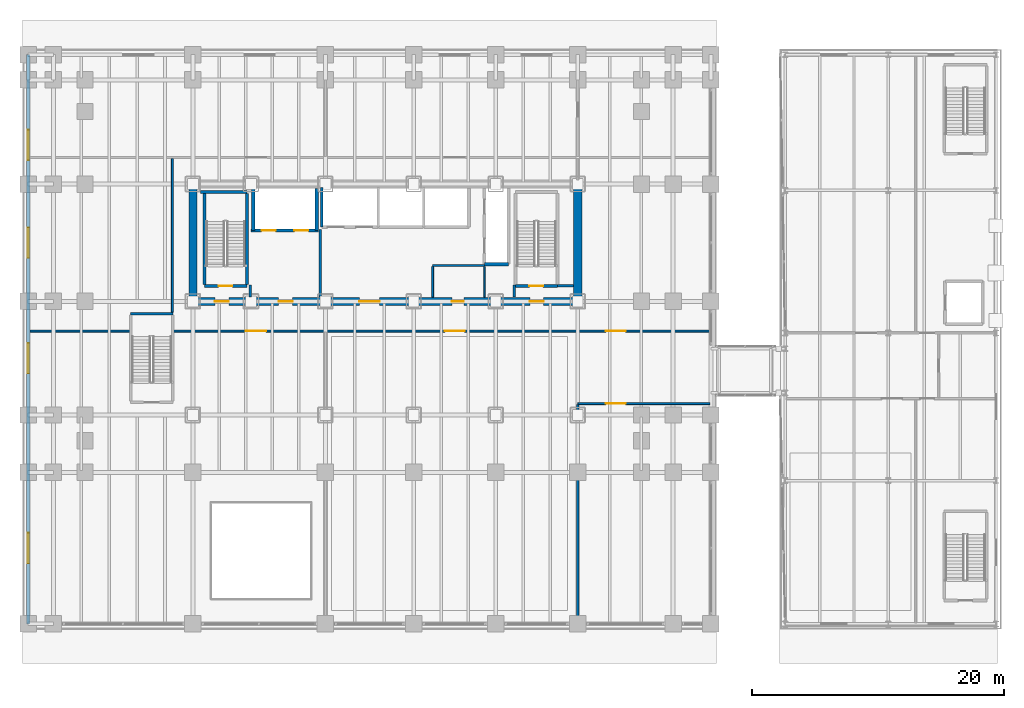
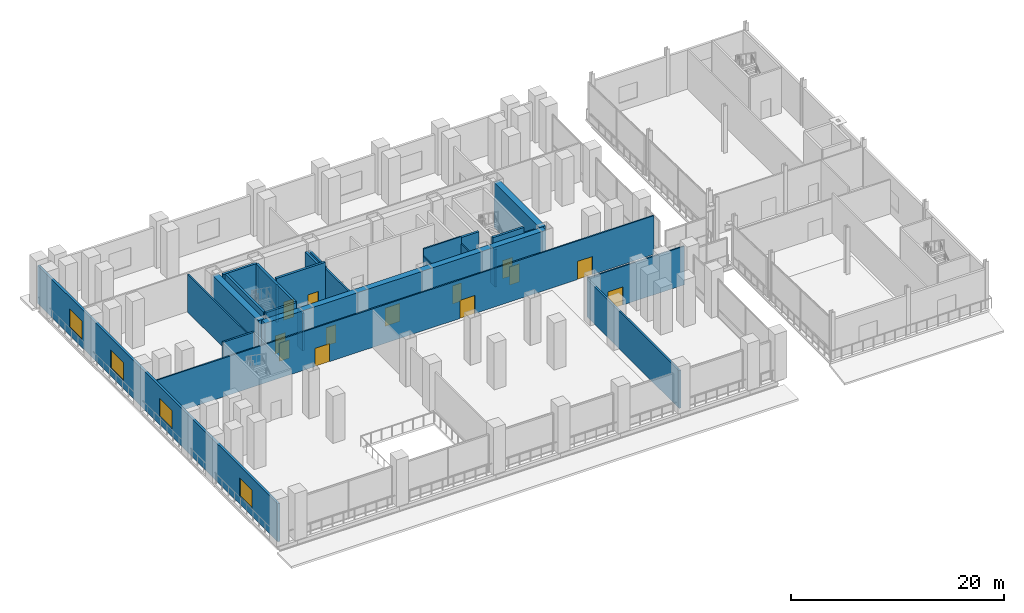
# One storey, part 20 of 32: 26 walls, 13 doors, 4 windows, 17 openings.
"""IFC4 building model written with IfcOpenShell, lengths in metres."""

from ifc_helpers import new_model, si_unit, direction, frame, frame_2d, origin, place, context, subcontext, project, spatial, rectangle, extrude, material, layer, layer_set, type_object, element, fill, save


model = new_model("IFC4")

# Units and contexts
model_context = context("Model", 3, precision=1e-05, world=origin(), true_north=direction((0.0, 1.0)))
body_context = subcontext(model_context, "Body", "Model", "MODEL_VIEW")
ifc_project = project(units=[si_unit("LENGTHUNIT", "METRE"), si_unit("AREAUNIT", "SQUARE_METRE"), si_unit("VOLUMEUNIT", "CUBIC_METRE"), si_unit("PLANEANGLEUNIT", "RADIAN"), si_unit("MASSUNIT", "GRAM", prefix="KILO")], contexts=[model_context])

# Site, building, storey
site_placement = place(None, origin())
site = spatial("IfcSite", under=ifc_project, at=site_placement, CompositionType="ELEMENT")
building_placement = place(site_placement, origin())
building = spatial("IfcBuilding", under=site, at=building_placement, Name="Noeulbin Bourse Tower", CompositionType="ELEMENT")
storey_placement = place(building_placement, frame((0.0, 0.0, 5.800048828125)))
storey = spatial("IfcBuildingStorey", under=building, at=storey_placement, Name="L02", CompositionType="ELEMENT", Elevation=5.800048828125)

# Wall, openings, doors
ifc_material_1 = material(Name="Concrete C60/75", Category="concrete")
ifc_layer_1 = layer(ifc_material_1, 0.64990234375)
ifc_layer_set_1 = layer_set([ifc_layer_1], Name="Concrete C60/75")
wall_type_1 = type_object("IfcWallType", Name="WAL-CORE-650", PredefinedType="SHEAR", material=ifc_layer_set_1)
wall_1_placement = place(storey_placement, frame((13.5, 29.0, 0.0), z_axis=(0.0, 0.0, 1.0), x_axis=(1.0, 0.0, 0.0)))
wall_1 = element("IfcWall", 1, at=wall_1_placement, inside=storey, type_object=wall_type_1, Name="Rear Core South Shear Wall L02", PredefinedType="SHEAR", context=body_context, shape_type="SweptSolid", body=[
    extrude(rectangle(XDim=30.5, YDim=0.64990234375, at=frame_2d((15.25, 0.0))), origin(), (0.0, 0.0, 1.0), 5.14990234375),
])
opening_1_placement = place(wall_1_placement, frame((1.75, 0.0, 0.0)))
opening_1 = element("IfcOpeningElement", 2, at=opening_1_placement, cuts=wall_1, Name="Opening FD-11", PredefinedType="OPENING", context=body_context, shape_type="SweptSolid", body=[
    extrude(rectangle(XDim=1.10009765625, YDim=2.080078125, at=frame_2d((0.550048828125, 1.0400390625))), frame((0.0, 0.3349609375, 0.0), z_axis=(0.0, -1.0, 0.0), x_axis=(1.0, 0.0, 0.0)), (0.0, 0.0, 1.0), 0.669921875),
])
opening_2_placement = place(wall_1_placement, frame((26.699951171875, 0.0, 0.0)))
opening_2 = element("IfcOpeningElement", 3, at=opening_2_placement, cuts=wall_1, Name="Opening FD-11", PredefinedType="OPENING", context=body_context, shape_type="SweptSolid", body=[
    extrude(rectangle(XDim=1.10009765625, YDim=2.080078125, at=frame_2d((0.550048828125, 1.0400390625))), frame((0.0, 0.3349609375, 0.0), z_axis=(0.0, -1.0, 0.0), x_axis=(1.0, 0.0, 0.0)), (0.0, 0.0, 1.0), 0.669921875),
])
opening_3_placement = place(wall_1_placement, frame((6.800048828125, 0.0, 0.0)))
opening_3 = element("IfcOpeningElement", 4, at=opening_3_placement, cuts=wall_1, Name="Opening FD-11", PredefinedType="OPENING", context=body_context, shape_type="SweptSolid", body=[
    extrude(rectangle(XDim=1.10009765625, YDim=2.080078125, at=frame_2d((0.550048828125, 1.0400390625))), frame((0.0, 0.3349609375, 0.0), z_axis=(0.0, -1.0, 0.0), x_axis=(1.0, 0.0, 0.0)), (0.0, 0.0, 1.0), 0.669921875),
])
opening_4_placement = place(wall_1_placement, frame((13.199951171875, 0.0, 0.0)))
opening_4 = element("IfcOpeningElement", 5, at=opening_4_placement, cuts=wall_1, Name="Opening ID-16", PredefinedType="OPENING", context=body_context, shape_type="SweptSolid", body=[
    extrude(rectangle(XDim=1.60009765625, YDim=2.080078125, at=frame_2d((0.800048828125, 1.0400390625))), frame((0.0, 0.3349609375, 0.0), z_axis=(0.0, -1.0, 0.0), x_axis=(1.0, 0.0, 0.0)), (0.0, 0.0, 1.0), 0.669921875),
])
opening_5_placement = place(wall_1_placement, frame((20.52490234375, 0.0, 0.0)))
opening_5 = element("IfcOpeningElement", 6, at=opening_5_placement, cuts=wall_1, Name="Opening ID-09", PredefinedType="OPENING", context=body_context, shape_type="SweptSolid", body=[
    extrude(rectangle(XDim=0.949951171875, YDim=2.080078125, at=frame_2d((0.47509765625, 1.0400390625))), frame((0.0, 0.3349609375, 0.0), z_axis=(0.0, -1.0, 0.0), x_axis=(1.0, 0.0, 0.0)), (0.0, 0.0, 1.0), 0.669921875),
])
ifc_material_2 = material(Name="Acoustic Glazed Aluminium", Category="aluminium")
door_type_1 = type_object("IfcDoorType", Name="DR-DBL-1600", OperationType="DOUBLE_DOOR_SINGLE_SWING", PredefinedType="DOOR", material=ifc_material_2)
door_1_placement = place(opening_4_placement, origin())
door_1 = element("IfcDoor", 7, at=door_1_placement, inside=storey, type_object=door_type_1, Name="Passenger Lift Lobby Portal L02", OperationType="DOUBLE_DOOR_SINGLE_SWING", OverallHeight=2.080078125, OverallWidth=1.60009765625, PredefinedType="DOOR", context=body_context, shape_type="SweptSolid", body=[
    extrude(rectangle(XDim=1.60009765625, YDim=2.080078125, at=frame_2d((0.800048828125, 1.0400390625))), frame((0.0, 0.02490234375, 0.0), z_axis=(0.0, -1.0, 0.0), x_axis=(1.0, 0.0, 0.0)), (0.0, 0.0, 1.0), 0.050048828125),
])
fill(opening_4, door_1)
ifc_material_3 = material(Name="Fire-Rated Insulated Steel", Category="steel")
door_type_2 = type_object("IfcDoorType", Name="DR-FD60-1100", OperationType="SINGLE_SWING_LEFT", PredefinedType="DOOR", material=ifc_material_3)
door_2_placement = place(opening_1_placement, origin())
door_2 = element("IfcDoor", 8, at=door_2_placement, inside=storey, type_object=door_type_2, Name="West Stair Lobby Door L02", OperationType="SINGLE_SWING_LEFT", OverallHeight=2.080078125, OverallWidth=1.10009765625, PredefinedType="DOOR", context=body_context, shape_type="SweptSolid", body=[
    extrude(rectangle(XDim=1.10009765625, YDim=2.080078125, at=frame_2d((0.550048828125, 1.0400390625))), frame((0.0, 0.02490234375, 0.0), z_axis=(0.0, -1.0, 0.0), x_axis=(1.0, 0.0, 0.0)), (0.0, 0.0, 1.0), 0.050048828125),
])
fill(opening_1, door_2)
door_3_placement = place(opening_2_placement, origin())
door_3 = element("IfcDoor", 9, at=door_3_placement, inside=storey, type_object=door_type_2, Name="East Stair Lobby Door L02", OperationType="SINGLE_SWING_RIGHT", OverallHeight=2.080078125, OverallWidth=1.10009765625, PredefinedType="DOOR", context=body_context, shape_type="SweptSolid", body=[
    extrude(rectangle(XDim=1.10009765625, YDim=2.080078125, at=frame_2d((0.550048828125, 1.0400390625))), frame((0.0, 0.02490234375, 0.0), z_axis=(0.0, -1.0, 0.0), x_axis=(1.0, 0.0, 0.0)), (0.0, 0.0, 1.0), 0.050048828125),
])
fill(opening_2, door_3)
door_4_placement = place(opening_3_placement, origin())
door_4 = element("IfcDoor", 10, at=door_4_placement, inside=storey, type_object=door_type_2, Name="Firefighting Lobby Door L02", OperationType="SINGLE_SWING_LEFT", OverallHeight=2.080078125, OverallWidth=1.10009765625, PredefinedType="DOOR", context=body_context, shape_type="SweptSolid", body=[
    extrude(rectangle(XDim=1.10009765625, YDim=2.080078125, at=frame_2d((0.550048828125, 1.0400390625))), frame((0.0, 0.02490234375, 0.0), z_axis=(0.0, -1.0, 0.0), x_axis=(1.0, 0.0, 0.0)), (0.0, 0.0, 1.0), 0.050048828125),
])
fill(opening_3, door_4)
ifc_material_4 = material(Name="Acoustic Solid-Core Timber", Category="wood")
door_type_3 = type_object("IfcDoorType", Name="DR-SINGLE-950", OperationType="SINGLE_SWING_LEFT", PredefinedType="DOOR", material=ifc_material_4)
door_5_placement = place(opening_5_placement, origin())
door_5 = element("IfcDoor", 11, at=door_5_placement, inside=storey, type_object=door_type_3, Name="Interior Door L02-17", OperationType="SINGLE_SWING_LEFT", OverallHeight=2.080078125, OverallWidth=0.949951171875, PredefinedType="DOOR", context=body_context, shape_type="SweptSolid", body=[
    extrude(rectangle(XDim=0.949951171875, YDim=2.080078125, at=frame_2d((0.47509765625, 1.0400390625))), frame((0.0, 0.02490234375, 0.0), z_axis=(0.0, -1.0, 0.0), x_axis=(1.0, 0.0, 0.0)), (0.0, 0.0, 1.0), 0.050048828125),
])
fill(opening_5, door_5)

# Walls
for number, where, z_axis, x_axis, name in (
    (12, (13.5, 29.35009765625, 0.0), (0.0, 0.0, 1.0), (0.0, 1.0, 0.0), "Rear Core West Shear Wall L02"),
    (13, (44.0, 29.35009765625, 0.0), (0.0, 0.0, 1.0), (0.0, 1.0, 0.0), "Rear Core East Shear Wall L02"),
):
    element("IfcWall", number, at=place(storey_placement, frame(where, z_axis=z_axis, x_axis=x_axis)), inside=storey, type_object=wall_type_1, Name=name, PredefinedType="SHEAR", context=body_context, shape_type="SweptSolid", body=[
        extrude(rectangle(XDim=8.599853515625, YDim=0.64990234375, at=frame_2d((4.2998046875, 0.0))), origin(), (0.0, 0.0, 1.0), 5.14990234375),
    ])

# Wall, openings, windows
ifc_material_5 = material(Name="Precast Concrete C40/50", Category="concrete")
ifc_layer_2 = layer(ifc_material_5, 0.25)
ifc_layer_set_2 = layer_set([ifc_layer_2], Name="Precast Concrete C40/50")
wall_type_2 = type_object("IfcWallType", Name="WAL-EXT-250", PredefinedType="STANDARD", material=ifc_layer_set_2)
wall_2_placement = place(storey_placement, frame((0.449951171875, 3.449951171875, 0.0), z_axis=(0.0, 0.0, 1.0), x_axis=(0.0, 1.0, 0.0)))
wall_2 = element("IfcWall", 14, at=wall_2_placement, inside=storey, type_object=wall_type_2, Name="Podium West Precast Wall L02", PredefinedType="STANDARD", context=body_context, shape_type="SweptSolid", body=[
    extrude(rectangle(XDim=45.10009765625, YDim=0.25, at=frame_2d((22.550048828125, 0.0))), origin(), (0.0, 0.0, 1.0), 4.369873046875),
])
opening_6_placement = place(wall_2_placement, frame((4.800048828125, 0.0, 0.89990234375)))
opening_6 = element("IfcOpeningElement", 15, at=opening_6_placement, cuts=wall_2, Name="Opening W-01", PredefinedType="OPENING", context=body_context, shape_type="SweptSolid", body=[
    extrude(rectangle(XDim=2.39990234375, YDim=2.10009765625, at=frame_2d((1.199951171875, 1.050048828125))), frame((0.0, 0.135009765625, 0.0), z_axis=(0.0, -1.0, 0.0), x_axis=(1.0, 0.0, 0.0)), (0.0, 0.0, 1.0), 0.27001953125),
])
opening_7_placement = place(wall_2_placement, frame((19.85009765625, 0.0, 0.89990234375)))
opening_7 = element("IfcOpeningElement", 16, at=opening_7_placement, cuts=wall_2, Name="Opening W-01", PredefinedType="OPENING", context=body_context, shape_type="SweptSolid", body=[
    extrude(rectangle(XDim=2.39990234375, YDim=2.10009765625, at=frame_2d((1.199951171875, 1.050048828125))), frame((0.0, 0.135009765625, 0.0), z_axis=(0.0, -1.0, 0.0), x_axis=(1.0, 0.0, 0.0)), (0.0, 0.0, 1.0), 0.27001953125),
])
opening_8_placement = place(wall_2_placement, frame((29.0, 0.0, 0.89990234375)))
opening_8 = element("IfcOpeningElement", 17, at=opening_8_placement, cuts=wall_2, Name="Opening W-01", PredefinedType="OPENING", context=body_context, shape_type="SweptSolid", body=[
    extrude(rectangle(XDim=2.39990234375, YDim=2.10009765625, at=frame_2d((1.199951171875, 1.050048828125))), frame((0.0, 0.135009765625, 0.0), z_axis=(0.0, -1.0, 0.0), x_axis=(1.0, 0.0, 0.0)), (0.0, 0.0, 1.0), 0.27001953125),
])
opening_9_placement = place(wall_2_placement, frame((36.75, 0.0, 0.89990234375)))
opening_9 = element("IfcOpeningElement", 18, at=opening_9_placement, cuts=wall_2, Name="Opening W-01", PredefinedType="OPENING", context=body_context, shape_type="SweptSolid", body=[
    extrude(rectangle(XDim=2.39990234375, YDim=2.10009765625, at=frame_2d((1.199951171875, 1.050048828125))), frame((0.0, 0.135009765625, 0.0), z_axis=(0.0, -1.0, 0.0), x_axis=(1.0, 0.0, 0.0)), (0.0, 0.0, 1.0), 0.27001953125),
])
ifc_material_6 = material(Name="Thermally Broken Aluminium Triple Glazing", Category="aluminium")
window_type = type_object("IfcWindowType", Name="WIN-POD-2400x2100", PartitioningType="SINGLE_PANEL", PredefinedType="WINDOW", material=ifc_material_6)
window_1_placement = place(opening_6_placement, origin())
window_1 = element("IfcWindow", 19, at=window_1_placement, inside=storey, type_object=window_type, Name="Podium West Window L02-01", OverallHeight=2.10009765625, OverallWidth=2.39990234375, PartitioningType="SINGLE_PANEL", PredefinedType="WINDOW", context=body_context, shape_type="SweptSolid", body=[
    extrude(rectangle(XDim=2.39990234375, YDim=2.10009765625, at=frame_2d((1.199951171875, 1.050048828125))), frame((0.0, 0.030029296875, 0.0), z_axis=(0.0, -1.0, 0.0), x_axis=(1.0, 0.0, 0.0)), (0.0, 0.0, 1.0), 0.06005859375),
])
fill(opening_6, window_1)
window_2_placement = place(opening_7_placement, origin())
window_2 = element("IfcWindow", 20, at=window_2_placement, inside=storey, type_object=window_type, Name="Podium West Window L02-02", OverallHeight=2.10009765625, OverallWidth=2.39990234375, PartitioningType="SINGLE_PANEL", PredefinedType="WINDOW", context=body_context, shape_type="SweptSolid", body=[
    extrude(rectangle(XDim=2.39990234375, YDim=2.10009765625, at=frame_2d((1.199951171875, 1.050048828125))), frame((0.0, 0.030029296875, 0.0), z_axis=(0.0, -1.0, 0.0), x_axis=(1.0, 0.0, 0.0)), (0.0, 0.0, 1.0), 0.06005859375),
])
fill(opening_7, window_2)
window_3_placement = place(opening_8_placement, origin())
window_3 = element("IfcWindow", 21, at=window_3_placement, inside=storey, type_object=window_type, Name="Podium West Window L02-03", OverallHeight=2.10009765625, OverallWidth=2.39990234375, PartitioningType="SINGLE_PANEL", PredefinedType="WINDOW", context=body_context, shape_type="SweptSolid", body=[
    extrude(rectangle(XDim=2.39990234375, YDim=2.10009765625, at=frame_2d((1.199951171875, 1.050048828125))), frame((0.0, 0.030029296875, 0.0), z_axis=(0.0, -1.0, 0.0), x_axis=(1.0, 0.0, 0.0)), (0.0, 0.0, 1.0), 0.06005859375),
])
fill(opening_8, window_3)
window_4_placement = place(opening_9_placement, origin())
window_4 = element("IfcWindow", 22, at=window_4_placement, inside=storey, type_object=window_type, Name="Podium West Window L02-04", OverallHeight=2.10009765625, OverallWidth=2.39990234375, PartitioningType="SINGLE_PANEL", PredefinedType="WINDOW", context=body_context, shape_type="SweptSolid", body=[
    extrude(rectangle(XDim=2.39990234375, YDim=2.10009765625, at=frame_2d((1.199951171875, 1.050048828125))), frame((0.0, 0.030029296875, 0.0), z_axis=(0.0, -1.0, 0.0), x_axis=(1.0, 0.0, 0.0)), (0.0, 0.0, 1.0), 0.06005859375),
])
fill(opening_9, window_4)

# Walls
ifc_material_7 = material(Name="Concrete C40/50", Category="concrete")
ifc_layer_3 = layer(ifc_material_7, 0.199951171875)
ifc_layer_set_3 = layer_set([ifc_layer_3], Name="Concrete C40/50")
wall_type_3 = type_object("IfcWallType", Name="WAL-FIRE-200", PredefinedType="STANDARD", material=ifc_layer_set_3)
wall_3_placement = place(storey_placement, frame((8.56005859375, 28.0400390625, 0.0), z_axis=(0.0, 0.0, 1.0), x_axis=(1.0, 0.0, 0.0)))
element("IfcWall", 23, at=wall_3_placement, inside=storey, type_object=wall_type_3, Name="Stair STP1 North Wall L02", PredefinedType="STANDARD", context=body_context, shape_type="SweptSolid", body=[
    extrude(rectangle(XDim=3.35986328125, YDim=0.199951171875, at=frame_2d((1.679931640625, 0.0))), origin(), (0.0, 0.0, 1.0), 5.14990234375),
])
wall_4_placement = place(storey_placement, frame((42.39990234375, 30.239990234375, 0.0), z_axis=(0.0, 0.0, 1.0), x_axis=(1.0, 0.0, 0.0)))
element("IfcWall", 24, at=wall_4_placement, inside=storey, type_object=wall_type_3, Name="Interior Partition Wall L02-06", PredefinedType="STANDARD", context=body_context, shape_type="SweptSolid", body=[
    extrude(rectangle(XDim=1.26513671875, YDim=0.199951171875, at=frame_2d((0.632568359375, 0.0))), origin(), (0.0, 0.0, 1.0), 4.429931640625),
])
wall_5_placement = place(storey_placement, frame((44.0, 3.530029296875, 0.0), z_axis=(0.0, 0.0, 1.0), x_axis=(0.0, 1.0, 0.0)))
element("IfcWall", 25, at=wall_5_placement, inside=storey, type_object=wall_type_3, Name="Interior Partition Wall L02-09", PredefinedType="STANDARD", context=body_context, shape_type="SweptSolid", body=[
    extrude(rectangle(XDim=17.284912109375, YDim=0.199951171875, at=frame_2d((8.642578125, 0.0))), origin(), (0.0, 0.0, 1.0), 4.329833984375),
])
for number, where, z_axis, x_axis, name in (
    (26, (18.050048828125, 29.3349609375, 0.0), (0.0, 0.0, 1.0), (0.0, 1.0, 0.0), "Interior Partition Wall L02-17"),
    (27, (38.949951171875, 29.3349609375, 0.0), (0.0, 0.0, 1.0), (0.0, 1.0, 0.0), "Interior Partition Wall L02-18"),
):
    element("IfcWall", number, at=place(storey_placement, frame(where, z_axis=z_axis, x_axis=x_axis)), inside=storey, type_object=wall_type_3, Name=name, PredefinedType="STANDARD", context=body_context, shape_type="SweptSolid", body=[
        extrude(rectangle(XDim=0.965087890625, YDim=0.199951171875, at=frame_2d((0.482421875, 0.0))), origin(), (0.0, 0.0, 1.0), 4.329833984375),
    ])
wall_6_placement = place(storey_placement, frame((23.60009765625, 29.3349609375, 0.0), z_axis=(0.0, 0.0, 1.0), x_axis=(0.0, 1.0, 0.0)))
element("IfcWall", 28, at=wall_6_placement, inside=storey, type_object=wall_type_3, Name="Interior Partition Wall L02-19", PredefinedType="STANDARD", context=body_context, shape_type="SweptSolid", body=[
    extrude(rectangle(XDim=5.364990234375, YDim=0.199951171875, at=frame_2d((2.6826171875, 0.0))), origin(), (0.0, 0.0, 1.0), 4.329833984375),
])
ifc_material_8 = material(Name="Steel Stud Gypsum Partition", Category="steel")
ifc_layer_4 = layer(ifc_material_8, 0.1201171875)
ifc_layer_set_4 = layer_set([ifc_layer_4], Name="Steel Stud Gypsum Partition")
wall_type_4 = type_object("IfcWallType", Name="WAL-PRT-120", PredefinedType="PARTITIONING", material=ifc_layer_set_4)
wall_7_placement = place(storey_placement, frame((36.60009765625, 29.3349609375, 0.0), z_axis=(0.0, 0.0, 1.0), x_axis=(0.0, 1.0, 0.0)))
element("IfcWall", 29, at=wall_7_placement, inside=storey, type_object=wall_type_4, Name="Interior Partition Wall L02-21", PredefinedType="PARTITIONING", context=body_context, shape_type="SweptSolid", body=[
    extrude(rectangle(XDim=2.429931640625, YDim=0.1201171875, at=frame_2d((1.21484375, 0.0))), origin(), (0.0, 0.0, 1.0), 4.329833984375),
])

# Wall, openings, doors
ifc_material_9 = material(Name="Steel Stud Acoustic Gypsum Board", Category="steel")
ifc_layer_5 = layer(ifc_material_9, 0.14990234375)
ifc_layer_set_5 = layer_set([ifc_layer_5], Name="Steel Stud Acoustic Gypsum Board")
wall_type_5 = type_object("IfcWallType", Name="WAL-PRT-150", PredefinedType="PARTITIONING", material=ifc_layer_set_5)
wall_8_placement = place(storey_placement, frame((0.580078125, 26.64990234375, 0.0), z_axis=(0.0, 0.0, 1.0), x_axis=(1.0, 0.0, 0.0)))
wall_8 = element("IfcWall", 30, at=wall_8_placement, inside=storey, type_object=wall_type_5, Name="Interior Partition Wall L02-01", PredefinedType="PARTITIONING", context=body_context, shape_type="SweptSolid", body=[
    extrude(rectangle(XDim=53.889892578125, YDim=0.14990234375, at=frame_2d((26.94482421875, 0.0))), origin(), (0.0, 0.0, 1.0), 4.429931640625),
])
opening_10_placement = place(wall_8_placement, frame((17.1201171875, 0.0, 0.0)))
opening_10 = element("IfcOpeningElement", 31, at=opening_10_placement, cuts=wall_8, Name="Opening ID-16", PredefinedType="OPENING", context=body_context, shape_type="SweptSolid", body=[
    extrude(rectangle(XDim=1.60009765625, YDim=2.080078125, at=frame_2d((0.800048828125, 1.0400390625))), frame((0.0, 0.0849609375, 0.0), z_axis=(0.0, -1.0, 0.0), x_axis=(1.0, 0.0, 0.0)), (0.0, 0.0, 1.0), 0.169921875),
])
opening_11_placement = place(wall_8_placement, frame((32.8701171875, 0.0, 0.0)))
opening_11 = element("IfcOpeningElement", 32, at=opening_11_placement, cuts=wall_8, Name="Opening ID-16", PredefinedType="OPENING", context=body_context, shape_type="SweptSolid", body=[
    extrude(rectangle(XDim=1.60009765625, YDim=2.080078125, at=frame_2d((0.800048828125, 1.0400390625))), frame((0.0, 0.0849609375, 0.0), z_axis=(0.0, -1.0, 0.0), x_axis=(1.0, 0.0, 0.0)), (0.0, 0.0, 1.0), 0.169921875),
])
opening_12_placement = place(wall_8_placement, frame((45.6201171875, 0.0, 0.0)))
opening_12 = element("IfcOpeningElement", 33, at=opening_12_placement, cuts=wall_8, Name="Opening ID-16", PredefinedType="OPENING", context=body_context, shape_type="SweptSolid", body=[
    extrude(rectangle(XDim=1.60009765625, YDim=2.080078125, at=frame_2d((0.800048828125, 1.0400390625))), frame((0.0, 0.0849609375, 0.0), z_axis=(0.0, -1.0, 0.0), x_axis=(1.0, 0.0, 0.0)), (0.0, 0.0, 1.0), 0.169921875),
])
door_6_placement = place(opening_10_placement, origin())
door_6 = element("IfcDoor", 34, at=door_6_placement, inside=storey, type_object=door_type_1, Name="Interior Door L02-01", OperationType="DOUBLE_DOOR_SINGLE_SWING", OverallHeight=2.080078125, OverallWidth=1.60009765625, PredefinedType="DOOR", context=body_context, shape_type="SweptSolid", body=[
    extrude(rectangle(XDim=1.60009765625, YDim=2.080078125, at=frame_2d((0.800048828125, 1.0400390625))), frame((0.0, 0.02490234375, 0.0), z_axis=(0.0, -1.0, 0.0), x_axis=(1.0, 0.0, 0.0)), (0.0, 0.0, 1.0), 0.050048828125),
])
fill(opening_10, door_6)
door_7_placement = place(opening_11_placement, origin())
door_7 = element("IfcDoor", 35, at=door_7_placement, inside=storey, type_object=door_type_1, Name="Interior Door L02-02", OperationType="DOUBLE_DOOR_SINGLE_SWING", OverallHeight=2.080078125, OverallWidth=1.60009765625, PredefinedType="DOOR", context=body_context, shape_type="SweptSolid", body=[
    extrude(rectangle(XDim=1.60009765625, YDim=2.080078125, at=frame_2d((0.800048828125, 1.0400390625))), frame((0.0, 0.02490234375, 0.0), z_axis=(0.0, -1.0, 0.0), x_axis=(1.0, 0.0, 0.0)), (0.0, 0.0, 1.0), 0.050048828125),
])
fill(opening_11, door_7)
door_8_placement = place(opening_12_placement, origin())
door_8 = element("IfcDoor", 36, at=door_8_placement, inside=storey, type_object=door_type_1, Name="Interior Door L02-04", OperationType="DOUBLE_DOOR_SINGLE_SWING", OverallHeight=2.080078125, OverallWidth=1.60009765625, PredefinedType="DOOR", context=body_context, shape_type="SweptSolid", body=[
    extrude(rectangle(XDim=1.60009765625, YDim=2.080078125, at=frame_2d((0.800048828125, 1.0400390625))), frame((0.0, 0.02490234375, 0.0), z_axis=(0.0, -1.0, 0.0), x_axis=(1.0, 0.0, 0.0)), (0.0, 0.0, 1.0), 0.050048828125),
])
fill(opening_12, door_8)

# Wall, opening, door
wall_9_placement = place(storey_placement, frame((44.0, 20.89990234375, 0.0), z_axis=(0.0, 0.0, 1.0), x_axis=(1.0, 0.0, 0.0)))
wall_9 = element("IfcWall", 37, at=wall_9_placement, inside=storey, type_object=wall_type_5, Name="Interior Partition Wall L02-02", PredefinedType="PARTITIONING", context=body_context, shape_type="SweptSolid", body=[
    extrude(rectangle(XDim=10.469970703125, YDim=0.14990234375, at=frame_2d((5.23486328125, 0.0))), origin(), (0.0, 0.0, 1.0), 4.429931640625),
])
opening_13_placement = place(wall_9_placement, frame((2.199951171875, 0.0, 0.0)))
opening_13 = element("IfcOpeningElement", 38, at=opening_13_placement, cuts=wall_9, Name="Opening ID-16", PredefinedType="OPENING", context=body_context, shape_type="SweptSolid", body=[
    extrude(rectangle(XDim=1.60009765625, YDim=2.080078125, at=frame_2d((0.800048828125, 1.0400390625))), frame((0.0, 0.0849609375, 0.0), z_axis=(0.0, -1.0, 0.0), x_axis=(1.0, 0.0, 0.0)), (0.0, 0.0, 1.0), 0.169921875),
])
door_9_placement = place(opening_13_placement, origin())
door_9 = element("IfcDoor", 39, at=door_9_placement, inside=storey, type_object=door_type_1, Name="Interior Door L02-03", OperationType="DOUBLE_DOOR_SINGLE_SWING", OverallHeight=2.080078125, OverallWidth=1.60009765625, PredefinedType="DOOR", context=body_context, shape_type="SweptSolid", body=[
    extrude(rectangle(XDim=1.60009765625, YDim=2.080078125, at=frame_2d((0.800048828125, 1.0400390625))), frame((0.0, 0.02490234375, 0.0), z_axis=(0.0, -1.0, 0.0), x_axis=(1.0, 0.0, 0.0)), (0.0, 0.0, 1.0), 0.050048828125),
])
fill(opening_13, door_9)

# Walls
wall_10_placement = place(storey_placement, frame((32.5, 31.85009765625, 0.0), z_axis=(0.0, 0.0, 1.0), x_axis=(1.0, 0.0, 0.0)))
element("IfcWall", 40, at=wall_10_placement, inside=storey, type_object=wall_type_5, Name="Interior Partition Wall L02-07", PredefinedType="PARTITIONING", context=body_context, shape_type="SweptSolid", body=[
    extrude(rectangle(XDim=4.10009765625, YDim=0.14990234375, at=frame_2d((2.050048828125, 0.0))), origin(), (0.0, 0.0, 1.0), 5.14990234375),
])
wall_11_placement = place(storey_placement, frame((11.8798828125, 28.14990234375, 0.0), z_axis=(0.0, 0.0, 1.0), x_axis=(0.0, 1.0, 0.0)))
element("IfcWall", 41, at=wall_11_placement, inside=storey, type_object=wall_type_5, Name="Interior Partition Wall L02-10", PredefinedType="PARTITIONING", context=body_context, shape_type="SweptSolid", body=[
    extrude(rectangle(XDim=12.1650390625, YDim=0.14990234375, at=frame_2d((6.08251953125, 0.0))), origin(), (0.0, 0.0, 1.0), 4.329833984375),
])
wall_12_placement = place(storey_placement, frame((32.5, 29.3349609375, 0.0), z_axis=(0.0, 0.0, 1.0), x_axis=(0.0, 1.0, 0.0)))
element("IfcWall", 42, at=wall_12_placement, inside=storey, type_object=wall_type_5, Name="Interior Partition Wall L02-20", PredefinedType="PARTITIONING", context=body_context, shape_type="SweptSolid", body=[
    extrude(rectangle(XDim=2.429931640625, YDim=0.14990234375, at=frame_2d((1.21484375, 0.0))), origin(), (0.0, 0.0, 1.0), 4.329833984375),
])

# Wall, opening, door
ifc_layer_6 = layer(ifc_material_7, 0.25)
ifc_layer_set_6 = layer_set([ifc_layer_6], Name="Concrete C40/50")
wall_type_6 = type_object("IfcWallType", Name="WAL-SHFT-250", PredefinedType="STANDARD", material=ifc_layer_set_6)
wall_13_placement = place(storey_placement, frame((14.429931640625, 30.235107421875, 0.0), z_axis=(0.0, 0.0, 1.0), x_axis=(1.0, 0.0, 0.0)))
wall_13 = element("IfcWall", 43, at=wall_13_placement, inside=storey, type_object=wall_type_6, Name="Stair ST-1 South Shaft Wall L02", PredefinedType="STANDARD", context=body_context, shape_type="SweptSolid", body=[
    extrude(rectangle(XDim=3.340087890625, YDim=0.25, at=frame_2d((1.669921875, 0.0))), origin(), (0.0, 0.0, 1.0), 5.14990234375),
])
opening_14_placement = place(wall_13_placement, frame((1.10009765625, 0.0, 0.0)))
opening_14 = element("IfcOpeningElement", 44, at=opening_14_placement, cuts=wall_13, Name="Opening FD-11", PredefinedType="OPENING", context=body_context, shape_type="SweptSolid", body=[
    extrude(rectangle(XDim=1.10009765625, YDim=2.080078125, at=frame_2d((0.550048828125, 1.0400390625))), frame((0.0, 0.135009765625, 0.0), z_axis=(0.0, -1.0, 0.0), x_axis=(1.0, 0.0, 0.0)), (0.0, 0.0, 1.0), 0.27001953125),
])
door_10_placement = place(opening_14_placement, origin())
door_10 = element("IfcDoor", 45, at=door_10_placement, inside=storey, type_object=door_type_2, Name="Protected Stair Entry Door ST1-L02", OperationType="SINGLE_SWING_LEFT", OverallHeight=2.080078125, OverallWidth=1.10009765625, PredefinedType="DOOR", context=body_context, shape_type="SweptSolid", body=[
    extrude(rectangle(XDim=1.10009765625, YDim=2.080078125, at=frame_2d((0.550048828125, 1.0400390625))), frame((0.0, 0.02490234375, 0.0), z_axis=(0.0, -1.0, 0.0), x_axis=(1.0, 0.0, 0.0)), (0.0, 0.0, 1.0), 0.050048828125),
])
fill(opening_14, door_10)

# Walls
wall_14_placement = place(storey_placement, frame((14.10009765625, 37.6689453125, 0.0), z_axis=(0.0, 0.0, 1.0), x_axis=(1.0, 0.0, 0.0)))
element("IfcWall", 46, at=wall_14_placement, inside=storey, type_object=wall_type_6, Name="Stair ST-1 North Shaft Wall L02", PredefinedType="STANDARD", context=body_context, shape_type="SweptSolid", body=[
    extrude(rectangle(XDim=3.669921875, YDim=0.25, at=frame_2d((1.8349609375, 0.0))), origin(), (0.0, 0.0, 1.0), 5.14990234375),
])
for number, where, z_axis, x_axis, name in (
    (47, (14.425048828125, 30.360107421875, 0.0), (0.0, 0.0, 1.0), (0.0, 1.0, 0.0), "Stair ST-1 West Shaft Wall L02"),
    (48, (17.77490234375, 30.360107421875, 0.0), (0.0, 0.0, 1.0), (0.0, 1.0, 0.0), "Stair ST-1 East Shaft Wall L02"),
):
    element("IfcWall", number, at=place(storey_placement, frame(where, z_axis=z_axis, x_axis=x_axis)), inside=storey, type_object=wall_type_6, Name=name, PredefinedType="STANDARD", context=body_context, shape_type="SweptSolid", body=[
        extrude(rectangle(XDim=7.183837890625, YDim=0.25, at=frame_2d((3.591796875, 0.0))), origin(), (0.0, 0.0, 1.0), 5.14990234375),
    ])

# Wall, opening, door
wall_15_placement = place(storey_placement, frame((39.06005859375, 30.235107421875, 0.0), z_axis=(0.0, 0.0, 1.0), x_axis=(1.0, 0.0, 0.0)))
wall_15 = element("IfcWall", 49, at=wall_15_placement, inside=storey, type_object=wall_type_6, Name="Stair ST-2 South Shaft Wall L02", PredefinedType="STANDARD", context=body_context, shape_type="SweptSolid", body=[
    extrude(rectangle(XDim=3.33984375, YDim=0.25, at=frame_2d((1.669921875, 0.0))), origin(), (0.0, 0.0, 1.0), 5.14990234375),
])
opening_15_placement = place(wall_15_placement, frame((1.10009765625, 0.0, 0.0)))
opening_15 = element("IfcOpeningElement", 50, at=opening_15_placement, cuts=wall_15, Name="Opening FD-11", PredefinedType="OPENING", context=body_context, shape_type="SweptSolid", body=[
    extrude(rectangle(XDim=1.10009765625, YDim=2.080078125, at=frame_2d((0.550048828125, 1.0400390625))), frame((0.0, 0.135009765625, 0.0), z_axis=(0.0, -1.0, 0.0), x_axis=(1.0, 0.0, 0.0)), (0.0, 0.0, 1.0), 0.27001953125),
])
door_11_placement = place(opening_15_placement, origin())
door_11 = element("IfcDoor", 51, at=door_11_placement, inside=storey, type_object=door_type_2, Name="Protected Stair Entry Door ST2-L02", OperationType="SINGLE_SWING_RIGHT", OverallHeight=2.080078125, OverallWidth=1.10009765625, PredefinedType="DOOR", context=body_context, shape_type="SweptSolid", body=[
    extrude(rectangle(XDim=1.10009765625, YDim=2.080078125, at=frame_2d((0.550048828125, 1.0400390625))), frame((0.0, 0.02490234375, 0.0), z_axis=(0.0, -1.0, 0.0), x_axis=(1.0, 0.0, 0.0)), (0.0, 0.0, 1.0), 0.050048828125),
])
fill(opening_15, door_11)

# Wall, openings, doors
wall_16_placement = place(storey_placement, frame((18.10009765625, 34.6201171875, 0.0), z_axis=(0.0, 0.0, 1.0), x_axis=(1.0, 0.0, 0.0)))
wall_16 = element("IfcWall", 52, at=wall_16_placement, inside=storey, type_object=wall_type_6, Name="Firefighting Lift Shaft Front L02", PredefinedType="STANDARD", context=body_context, shape_type="SweptSolid", body=[
    extrude(rectangle(XDim=5.349853515625, YDim=0.25, at=frame_2d((2.6748046875, 0.0))), origin(), (0.0, 0.0, 1.0), 5.14990234375),
])
opening_16_placement = place(wall_16_placement, frame((0.85009765625, 0.0, 0.0)))
opening_16 = element("IfcOpeningElement", 53, at=opening_16_placement, cuts=wall_16, Name="Opening LD-11", PredefinedType="OPENING", context=body_context, shape_type="SweptSolid", body=[
    extrude(rectangle(XDim=1.10009765625, YDim=2.080078125, at=frame_2d((0.550048828125, 1.0400390625))), frame((0.0, 0.135009765625, 0.0), z_axis=(0.0, -1.0, 0.0), x_axis=(1.0, 0.0, 0.0)), (0.0, 0.0, 1.0), 0.27001953125),
])
opening_17_placement = place(wall_16_placement, frame((3.449951171875, 0.0, 0.0)))
opening_17 = element("IfcOpeningElement", 54, at=opening_17_placement, cuts=wall_16, Name="Opening LD-11", PredefinedType="OPENING", context=body_context, shape_type="SweptSolid", body=[
    extrude(rectangle(XDim=1.10009765625, YDim=2.080078125, at=frame_2d((0.550048828125, 1.0400390625))), frame((0.0, 0.135009765625, 0.0), z_axis=(0.0, -1.0, 0.0), x_axis=(1.0, 0.0, 0.0)), (0.0, 0.0, 1.0), 0.27001953125),
])
ifc_material_10 = material(Name="Brushed Stainless Steel 316", Category="steel")
door_type_4 = type_object("IfcDoorType", Name="DR-LIFT-1100", OperationType="SLIDING_TO_LEFT", PredefinedType="DOOR", material=ifc_material_10)
door_12_placement = place(opening_16_placement, origin())
door_12 = element("IfcDoor", 55, at=door_12_placement, inside=storey, type_object=door_type_4, Name="Lift Landing Door LD-FL-01-L02", OperationType="SLIDING_TO_LEFT", OverallHeight=2.080078125, OverallWidth=1.10009765625, PredefinedType="DOOR", context=body_context, shape_type="SweptSolid", body=[
    extrude(rectangle(XDim=1.10009765625, YDim=2.080078125, at=frame_2d((0.550048828125, 1.0400390625))), frame((0.0, 0.02490234375, 0.0), z_axis=(0.0, -1.0, 0.0), x_axis=(1.0, 0.0, 0.0)), (0.0, 0.0, 1.0), 0.050048828125),
])
fill(opening_16, door_12)
door_13_placement = place(opening_17_placement, origin())
door_13 = element("IfcDoor", 56, at=door_13_placement, inside=storey, type_object=door_type_4, Name="Lift Landing Door LD-FL-02-L02", OperationType="SLIDING_TO_LEFT", OverallHeight=2.080078125, OverallWidth=1.10009765625, PredefinedType="DOOR", context=body_context, shape_type="SweptSolid", body=[
    extrude(rectangle(XDim=1.10009765625, YDim=2.080078125, at=frame_2d((0.550048828125, 1.0400390625))), frame((0.0, 0.02490234375, 0.0), z_axis=(0.0, -1.0, 0.0), x_axis=(1.0, 0.0, 0.0)), (0.0, 0.0, 1.0), 0.050048828125),
])
fill(opening_17, door_13)

# Walls
wall_17_placement = place(storey_placement, frame((36.6201171875, 31.949951171875, 0.0), z_axis=(0.0, 0.0, 1.0), x_axis=(1.0, 0.0, 0.0)))
element("IfcWall", 57, at=wall_17_placement, inside=storey, type_object=wall_type_6, Name="Service Lift South Shaft Wall L02", PredefinedType="STANDARD", context=body_context, shape_type="SweptSolid", body=[
    extrude(rectangle(XDim=1.89990234375, YDim=0.25, at=frame_2d((0.949951171875, 0.0))), origin(), (0.0, 0.0, 1.0), 4.97998046875),
])
for number, where, z_axis, x_axis, name in (
    (58, (18.280029296875, 34.6201171875, 0.0), (0.0, 0.0, 1.0), (0.0, 1.0, 0.0), "Firefighting Lift West Shaft Wall L02"),
    (59, (23.320068359375, 34.6201171875, 0.0), (0.0, 0.0, 1.0), (0.0, 1.0, 0.0), "Firefighting Lift East Shaft Wall L02"),
):
    element("IfcWall", number, at=place(storey_placement, frame(where, z_axis=z_axis, x_axis=x_axis)), inside=storey, type_object=wall_type_6, Name=name, PredefinedType="STANDARD", context=body_context, shape_type="SweptSolid", body=[
        extrude(rectangle(XDim=3.329833984375, YDim=0.25, at=frame_2d((1.6650390625, 0.0))), origin(), (0.0, 0.0, 1.0), 4.329833984375),
    ])
wall_18_placement = place(storey_placement, frame((23.719970703125, 34.89990234375, 0.0), z_axis=(0.0, 0.0, 1.0), x_axis=(0.0, 1.0, 0.0)))
element("IfcWall", 60, at=wall_18_placement, inside=storey, type_object=wall_type_6, Name="Hoistway Side Shaft Wall L02-PLLW", PredefinedType="STANDARD", context=body_context, shape_type="SweptSolid", body=[
    extrude(rectangle(XDim=3.1201171875, YDim=0.199951171875, at=frame_2d((1.56005859375, 0.0))), origin(), (0.0, 0.0, 1.0), 4.329833984375),
])

save(model, "model.ifc")
